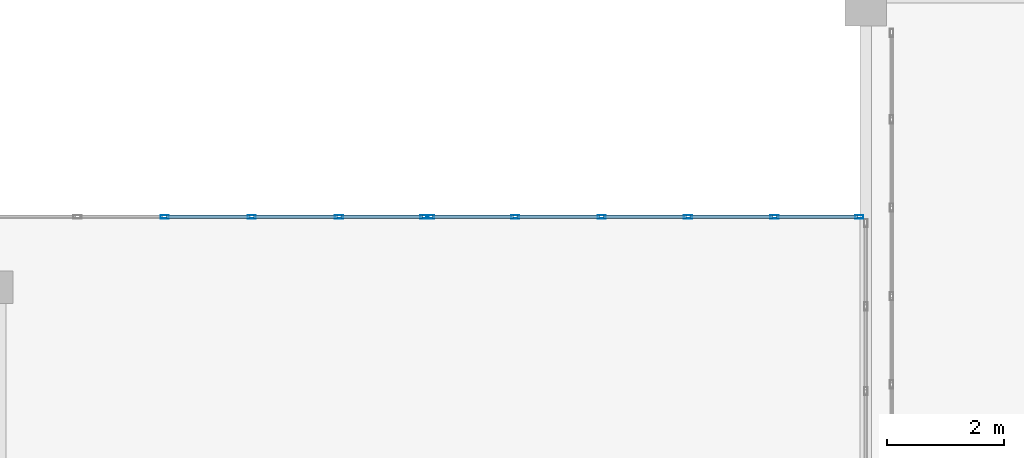
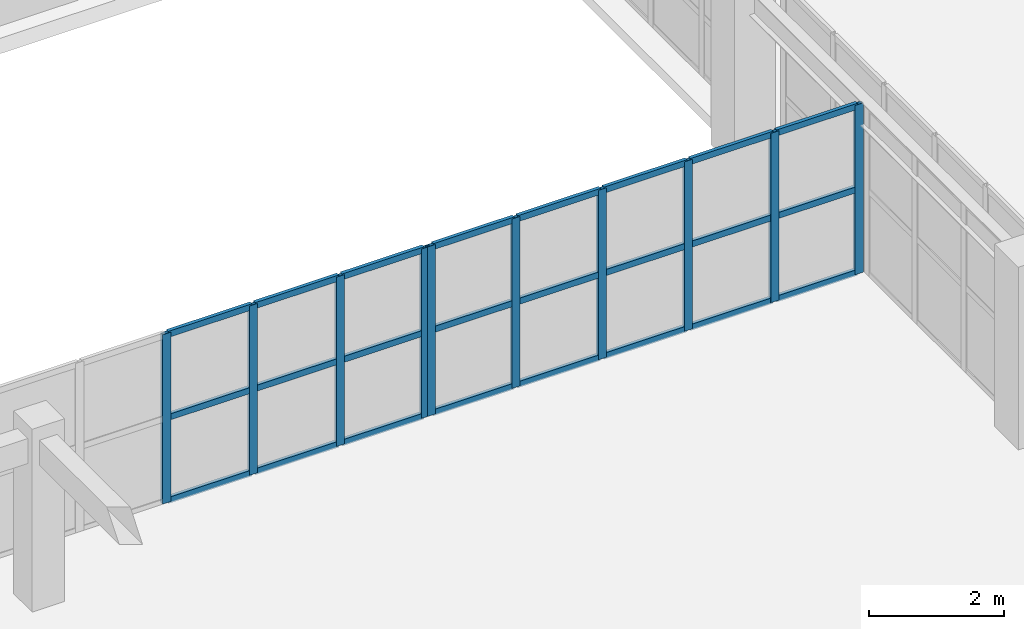
# One storey, part 66 of 148: 34 members, 2 elements without a shape of their own.
"""IFC4 building model written with IfcOpenShell, lengths in metres."""

from ifc_helpers import new_model, si_unit, direction, frame, origin, origin_2d, place, context, subcontext, project, spatial, hollow_rectangle, extrude, material, layer, layer_set, material_profile, profile_set, type_object, element, aggregate, save


model = new_model("IFC4")

# Units and contexts
model_context = context("Model", 3, precision=1e-05, world=origin(), true_north=direction((0.0, 1.0)))
body_context = subcontext(model_context, "Body", "Model", "MODEL_VIEW")
ifc_project = project(units=[si_unit("LENGTHUNIT", "METRE"), si_unit("AREAUNIT", "SQUARE_METRE"), si_unit("VOLUMEUNIT", "CUBIC_METRE"), si_unit("PLANEANGLEUNIT", "RADIAN"), si_unit("MASSUNIT", "GRAM", prefix="KILO")], contexts=[model_context])

# Site, building, storey
site_placement = place(None, origin())
site = spatial("IfcSite", under=ifc_project, at=site_placement, CompositionType="ELEMENT")
building_placement = place(site_placement, origin())
building = spatial("IfcBuilding", under=site, at=building_placement, Name="Trelvath General Hospital", CompositionType="ELEMENT")
storey_placement = place(building_placement, frame((0.0, 0.0, 12.89990234375)))
storey = spatial("IfcBuildingStorey", under=building, at=storey_placement, Name="L03", CompositionType="ELEMENT", Elevation=12.89990234375)

# Curtain wall, members
ifc_material_1 = material(Name="Anodised aluminium and low-E glass", Category="aluminium")
ifc_layer_1 = layer(ifc_material_1, 0.14990234375)
ifc_layer_set_1 = layer_set([ifc_layer_1], Name="Anodised aluminium and low-E glass")
curtain_wall_type_1 = type_object("IfcCurtainWallType", Name="CW CrystalCube 743 306 15", PredefinedType="USERDEFINED", material=ifc_layer_set_1)
curtain_wall_1_placement = place(storey_placement, origin())
curtain_wall_1 = element("IfcCurtainWall", 1, at=curtain_wall_1_placement, inside=storey, type_object=curtain_wall_type_1, Name="Crystal Cube Curtain Wall CUBE-W-T1 N2 L03", ObjectType="Unitised Glazed Curtain Wall", PredefinedType="USERDEFINED")
ifc_material_2 = material(Name="Anodised aluminium", Category="aluminium")
ifc_material_profile_1 = material_profile(ifc_material_2, hollow_rectangle(XDim=0.06005859375, YDim=0.139892578125, WallThickness=0.00390625, at=origin_2d()), Name="RHS60x140x4")
ifc_profile_set_1 = profile_set([ifc_material_profile_1], Name="Anodised aluminium")
member_type_1 = type_object("IfcMemberType", Name="CurtainMullion 60x140", PredefinedType="MULLION", material=ifc_profile_set_1)
member_1_placement = place(storey_placement, frame((63.6572265625, 80.39990234375, 0.0), z_axis=(0.0, 0.0, 1.0), x_axis=(0.0, 1.0, 0.0)))
member_1 = element("IfcMember", 2, at=member_1_placement, type_object=member_type_1, Name="CW-234 mullion 3", PredefinedType="MULLION", context=body_context, shape_type="SweptSolid", body=[
    extrude(hollow_rectangle(XDim=0.06005859375, YDim=0.139892578125, WallThickness=0.00390625, at=origin_2d()), origin(), (0.0, 0.0, 1.0), 3.06005859375),
])
member_2_placement = place(storey_placement, frame((65.142578125, 80.39990234375, 0.0), z_axis=(0.0, 0.0, 1.0), x_axis=(0.0, 1.0, 0.0)))
member_2 = element("IfcMember", 3, at=member_2_placement, type_object=member_type_1, Name="CW-234 mullion 4", PredefinedType="MULLION", context=body_context, shape_type="SweptSolid", body=[
    extrude(hollow_rectangle(XDim=0.06005859375, YDim=0.139892578125, WallThickness=0.00390625, at=origin_2d()), origin(), (0.0, 0.0, 1.0), 3.06005859375),
])
member_3_placement = place(storey_placement, frame((66.6279296875, 80.39990234375, 0.0), z_axis=(0.0, 0.0, 1.0), x_axis=(0.0, 1.0, 0.0)))
member_3 = element("IfcMember", 4, at=member_3_placement, type_object=member_type_1, Name="CW-234 mullion 5", PredefinedType="MULLION", context=body_context, shape_type="SweptSolid", body=[
    extrude(hollow_rectangle(XDim=0.06005859375, YDim=0.139892578125, WallThickness=0.00390625, at=origin_2d()), origin(), (0.0, 0.0, 1.0), 3.06005859375),
])
member_4_placement = place(storey_placement, frame((68.083251953125, 80.39990234375, 0.0), z_axis=(0.0, 0.0, 1.0), x_axis=(0.0, 1.0, 0.0)))
member_4 = element("IfcMember", 5, at=member_4_placement, type_object=member_type_1, Name="CW-234 mullion 6", PredefinedType="MULLION", context=body_context, shape_type="SweptSolid", body=[
    extrude(hollow_rectangle(XDim=0.06005859375, YDim=0.139892578125, WallThickness=0.00390625, at=origin_2d()), origin(), (0.0, 0.0, 1.0), 3.06005859375),
])

ifc_material_3 = material(Name="Anodised aluminium and low-E glass", Category="aluminium")
ifc_layer_2 = layer(ifc_material_3, 0.14990234375)
ifc_layer_set_2 = layer_set([ifc_layer_2], Name="Anodised aluminium and low-E glass")
curtain_wall_type_2 = type_object("IfcCurtainWallType", Name="CW CrystalCube 737 306 15", PredefinedType="USERDEFINED", material=ifc_layer_set_2)
curtain_wall_2_placement = place(storey_placement, origin())
curtain_wall_2 = element("IfcCurtainWall", 6, at=curtain_wall_2_placement, inside=storey, type_object=curtain_wall_type_2, Name="Crystal Cube Curtain Wall CUBE-W-T1 N3 L03", ObjectType="Unitised Glazed Curtain Wall", PredefinedType="USERDEFINED")
member_5_placement = place(storey_placement, frame((68.183349609375, 80.39990234375, 0.0), z_axis=(0.0, 0.0, 1.0), x_axis=(0.0, 1.0, 0.0)))
member_5 = element("IfcMember", 7, at=member_5_placement, type_object=member_type_1, Name="CW-235 mullion 1", PredefinedType="MULLION", context=body_context, shape_type="SweptSolid", body=[
    extrude(hollow_rectangle(XDim=0.06005859375, YDim=0.139892578125, WallThickness=0.00390625, at=origin_2d()), origin(), (0.0, 0.0, 1.0), 3.06005859375),
])
member_6_placement = place(storey_placement, frame((69.626708984375, 80.39990234375, 0.0), z_axis=(0.0, 0.0, 1.0), x_axis=(0.0, 1.0, 0.0)))
member_6 = element("IfcMember", 8, at=member_6_placement, type_object=member_type_1, Name="CW-235 mullion 2", PredefinedType="MULLION", context=body_context, shape_type="SweptSolid", body=[
    extrude(hollow_rectangle(XDim=0.06005859375, YDim=0.139892578125, WallThickness=0.00390625, at=origin_2d()), origin(), (0.0, 0.0, 1.0), 3.06005859375),
])
member_7_placement = place(storey_placement, frame((71.10009765625, 80.39990234375, 0.0), z_axis=(0.0, 0.0, 1.0), x_axis=(0.0, 1.0, 0.0)))
member_7 = element("IfcMember", 9, at=member_7_placement, type_object=member_type_1, Name="CW-235 mullion 3", PredefinedType="MULLION", context=body_context, shape_type="SweptSolid", body=[
    extrude(hollow_rectangle(XDim=0.06005859375, YDim=0.139892578125, WallThickness=0.00390625, at=origin_2d()), origin(), (0.0, 0.0, 1.0), 3.06005859375),
])
member_8_placement = place(storey_placement, frame((72.5732421875, 80.39990234375, 0.0), z_axis=(0.0, 0.0, 1.0), x_axis=(0.0, 1.0, 0.0)))
member_8 = element("IfcMember", 10, at=member_8_placement, type_object=member_type_1, Name="CW-235 mullion 4", PredefinedType="MULLION", context=body_context, shape_type="SweptSolid", body=[
    extrude(hollow_rectangle(XDim=0.06005859375, YDim=0.139892578125, WallThickness=0.00390625, at=origin_2d()), origin(), (0.0, 0.0, 1.0), 3.06005859375),
])
member_9_placement = place(storey_placement, frame((74.046630859375, 80.39990234375, 0.0), z_axis=(0.0, 0.0, 1.0), x_axis=(0.0, 1.0, 0.0)))
member_9 = element("IfcMember", 11, at=member_9_placement, type_object=member_type_1, Name="CW-235 mullion 5", PredefinedType="MULLION", context=body_context, shape_type="SweptSolid", body=[
    extrude(hollow_rectangle(XDim=0.06005859375, YDim=0.139892578125, WallThickness=0.00390625, at=origin_2d()), origin(), (0.0, 0.0, 1.0), 3.06005859375),
])
member_10_placement = place(storey_placement, frame((75.489990234375, 80.39990234375, 0.0), z_axis=(0.0, 0.0, 1.0), x_axis=(0.0, 1.0, 0.0)))
member_10 = element("IfcMember", 12, at=member_10_placement, type_object=member_type_1, Name="CW-235 mullion 6", PredefinedType="MULLION", context=body_context, shape_type="SweptSolid", body=[
    extrude(hollow_rectangle(XDim=0.06005859375, YDim=0.139892578125, WallThickness=0.00390625, at=origin_2d()), origin(), (0.0, 0.0, 1.0), 3.06005859375),
])

# Member
ifc_material_4 = material(Name="Anodised aluminium", Category="aluminium")
ifc_material_profile_2 = material_profile(ifc_material_4, hollow_rectangle(XDim=0.06005859375, YDim=0.110107421875, WallThickness=0.00390625, at=origin_2d()), Name="RHS60x110x4")
ifc_profile_set_2 = profile_set([ifc_material_profile_2], Name="Anodised aluminium")
member_type_2 = type_object("IfcMemberType", Name="CurtainTransom 60x110", PredefinedType="USERDEFINED", material=ifc_profile_set_2)
member_11_placement = place(storey_placement, frame((63.687255859375, 80.39990234375, 0.030029296875), z_axis=(1.0, 0.0, 0.0), x_axis=(0.0, 1.0, 0.0)))
member_11 = element("IfcMember", 13, at=member_11_placement, type_object=member_type_2, Name="CW-234 transom 3.1", ObjectType="TRANSOM", PredefinedType="USERDEFINED", context=body_context, shape_type="SweptSolid", body=[
    extrude(hollow_rectangle(XDim=0.06005859375, YDim=0.110107421875, WallThickness=0.00390625, at=origin_2d()), origin(), (0.0, 0.0, 1.0), 1.42529296875),
])

member_12_placement = place(storey_placement, frame((63.687255859375, 80.39990234375, 1.530029296875), z_axis=(1.0, 0.0, 0.0), x_axis=(0.0, 1.0, 0.0)))
member_12 = element("IfcMember", 14, at=member_12_placement, type_object=member_type_2, Name="CW-234 transom 3.2", ObjectType="TRANSOM", PredefinedType="USERDEFINED", context=body_context, shape_type="SweptSolid", body=[
    extrude(hollow_rectangle(XDim=0.06005859375, YDim=0.110107421875, WallThickness=0.00390625, at=origin_2d()), origin(), (0.0, 0.0, 1.0), 1.42529296875),
])

member_13_placement = place(storey_placement, frame((63.687255859375, 80.39990234375, 3.030029296875), z_axis=(1.0, 0.0, 0.0), x_axis=(0.0, 1.0, 0.0)))
member_13 = element("IfcMember", 15, at=member_13_placement, type_object=member_type_2, Name="CW-234 transom 3.3", ObjectType="TRANSOM", PredefinedType="USERDEFINED", context=body_context, shape_type="SweptSolid", body=[
    extrude(hollow_rectangle(XDim=0.06005859375, YDim=0.110107421875, WallThickness=0.00390625, at=origin_2d()), origin(), (0.0, 0.0, 1.0), 1.42529296875),
])

member_14_placement = place(storey_placement, frame((65.172607421875, 80.39990234375, 0.030029296875), z_axis=(1.0, 0.0, 0.0), x_axis=(0.0, 1.0, 0.0)))
member_14 = element("IfcMember", 16, at=member_14_placement, type_object=member_type_2, Name="CW-234 transom 4.1", ObjectType="TRANSOM", PredefinedType="USERDEFINED", context=body_context, shape_type="SweptSolid", body=[
    extrude(hollow_rectangle(XDim=0.06005859375, YDim=0.110107421875, WallThickness=0.00390625, at=origin_2d()), origin(), (0.0, 0.0, 1.0), 1.42529296875),
])

member_15_placement = place(storey_placement, frame((65.172607421875, 80.39990234375, 1.530029296875), z_axis=(1.0, 0.0, 0.0), x_axis=(0.0, 1.0, 0.0)))
member_15 = element("IfcMember", 17, at=member_15_placement, type_object=member_type_2, Name="CW-234 transom 4.2", ObjectType="TRANSOM", PredefinedType="USERDEFINED", context=body_context, shape_type="SweptSolid", body=[
    extrude(hollow_rectangle(XDim=0.06005859375, YDim=0.110107421875, WallThickness=0.00390625, at=origin_2d()), origin(), (0.0, 0.0, 1.0), 1.42529296875),
])

member_16_placement = place(storey_placement, frame((65.172607421875, 80.39990234375, 3.030029296875), z_axis=(1.0, 0.0, 0.0), x_axis=(0.0, 1.0, 0.0)))
member_16 = element("IfcMember", 18, at=member_16_placement, type_object=member_type_2, Name="CW-234 transom 4.3", ObjectType="TRANSOM", PredefinedType="USERDEFINED", context=body_context, shape_type="SweptSolid", body=[
    extrude(hollow_rectangle(XDim=0.06005859375, YDim=0.110107421875, WallThickness=0.00390625, at=origin_2d()), origin(), (0.0, 0.0, 1.0), 1.42529296875),
])

member_17_placement = place(storey_placement, frame((66.657958984375, 80.39990234375, 0.030029296875), z_axis=(1.0, 0.0, 0.0), x_axis=(0.0, 1.0, 0.0)))
member_17 = element("IfcMember", 19, at=member_17_placement, type_object=member_type_2, Name="CW-234 transom 5.1", ObjectType="TRANSOM", PredefinedType="USERDEFINED", context=body_context, shape_type="SweptSolid", body=[
    extrude(hollow_rectangle(XDim=0.06005859375, YDim=0.110107421875, WallThickness=0.00390625, at=origin_2d()), origin(), (0.0, 0.0, 1.0), 1.395263671875),
])

member_18_placement = place(storey_placement, frame((66.657958984375, 80.39990234375, 1.530029296875), z_axis=(1.0, 0.0, 0.0), x_axis=(0.0, 1.0, 0.0)))
member_18 = element("IfcMember", 20, at=member_18_placement, type_object=member_type_2, Name="CW-234 transom 5.2", ObjectType="TRANSOM", PredefinedType="USERDEFINED", context=body_context, shape_type="SweptSolid", body=[
    extrude(hollow_rectangle(XDim=0.06005859375, YDim=0.110107421875, WallThickness=0.00390625, at=origin_2d()), origin(), (0.0, 0.0, 1.0), 1.395263671875),
])

member_19_placement = place(storey_placement, frame((66.657958984375, 80.39990234375, 3.030029296875), z_axis=(1.0, 0.0, 0.0), x_axis=(0.0, 1.0, 0.0)))
member_19 = element("IfcMember", 21, at=member_19_placement, type_object=member_type_2, Name="CW-234 transom 5.3", ObjectType="TRANSOM", PredefinedType="USERDEFINED", context=body_context, shape_type="SweptSolid", body=[
    extrude(hollow_rectangle(XDim=0.06005859375, YDim=0.110107421875, WallThickness=0.00390625, at=origin_2d()), origin(), (0.0, 0.0, 1.0), 1.395263671875),
])

aggregate(curtain_wall_1, [member_1, member_2, member_3, member_4, member_11, member_12, member_13, member_14, member_15, member_16, member_17, member_18, member_19])

member_20_placement = place(storey_placement, frame((68.21337890625, 80.39990234375, 0.030029296875), z_axis=(1.0, 0.0, 0.0), x_axis=(0.0, 1.0, 0.0)))
member_20 = element("IfcMember", 22, at=member_20_placement, type_object=member_type_2, Name="CW-235 transom 1.1", ObjectType="TRANSOM", PredefinedType="USERDEFINED", context=body_context, shape_type="SweptSolid", body=[
    extrude(hollow_rectangle(XDim=0.06005859375, YDim=0.110107421875, WallThickness=0.00390625, at=origin_2d()), origin(), (0.0, 0.0, 1.0), 1.38330078125),
])

member_21_placement = place(storey_placement, frame((68.21337890625, 80.39990234375, 1.530029296875), z_axis=(1.0, 0.0, 0.0), x_axis=(0.0, 1.0, 0.0)))
member_21 = element("IfcMember", 23, at=member_21_placement, type_object=member_type_2, Name="CW-235 transom 1.2", ObjectType="TRANSOM", PredefinedType="USERDEFINED", context=body_context, shape_type="SweptSolid", body=[
    extrude(hollow_rectangle(XDim=0.06005859375, YDim=0.110107421875, WallThickness=0.00390625, at=origin_2d()), origin(), (0.0, 0.0, 1.0), 1.38330078125),
])

member_22_placement = place(storey_placement, frame((68.21337890625, 80.39990234375, 3.030029296875), z_axis=(1.0, 0.0, 0.0), x_axis=(0.0, 1.0, 0.0)))
member_22 = element("IfcMember", 24, at=member_22_placement, type_object=member_type_2, Name="CW-235 transom 1.3", ObjectType="TRANSOM", PredefinedType="USERDEFINED", context=body_context, shape_type="SweptSolid", body=[
    extrude(hollow_rectangle(XDim=0.06005859375, YDim=0.110107421875, WallThickness=0.00390625, at=origin_2d()), origin(), (0.0, 0.0, 1.0), 1.38330078125),
])

member_23_placement = place(storey_placement, frame((69.65673828125, 80.39990234375, 0.030029296875), z_axis=(1.0, 0.0, 0.0), x_axis=(0.0, 1.0, 0.0)))
member_23 = element("IfcMember", 25, at=member_23_placement, type_object=member_type_2, Name="CW-235 transom 2.1", ObjectType="TRANSOM", PredefinedType="USERDEFINED", context=body_context, shape_type="SweptSolid", body=[
    extrude(hollow_rectangle(XDim=0.06005859375, YDim=0.110107421875, WallThickness=0.00390625, at=origin_2d()), origin(), (0.0, 0.0, 1.0), 1.413330078125),
])

member_24_placement = place(storey_placement, frame((69.65673828125, 80.39990234375, 1.530029296875), z_axis=(1.0, 0.0, 0.0), x_axis=(0.0, 1.0, 0.0)))
member_24 = element("IfcMember", 26, at=member_24_placement, type_object=member_type_2, Name="CW-235 transom 2.2", ObjectType="TRANSOM", PredefinedType="USERDEFINED", context=body_context, shape_type="SweptSolid", body=[
    extrude(hollow_rectangle(XDim=0.06005859375, YDim=0.110107421875, WallThickness=0.00390625, at=origin_2d()), origin(), (0.0, 0.0, 1.0), 1.413330078125),
])

member_25_placement = place(storey_placement, frame((69.65673828125, 80.39990234375, 3.030029296875), z_axis=(1.0, 0.0, 0.0), x_axis=(0.0, 1.0, 0.0)))
member_25 = element("IfcMember", 27, at=member_25_placement, type_object=member_type_2, Name="CW-235 transom 2.3", ObjectType="TRANSOM", PredefinedType="USERDEFINED", context=body_context, shape_type="SweptSolid", body=[
    extrude(hollow_rectangle(XDim=0.06005859375, YDim=0.110107421875, WallThickness=0.00390625, at=origin_2d()), origin(), (0.0, 0.0, 1.0), 1.413330078125),
])

member_26_placement = place(storey_placement, frame((71.1298828125, 80.39990234375, 0.030029296875), z_axis=(1.0, 0.0, 0.0), x_axis=(0.0, 1.0, 0.0)))
member_26 = element("IfcMember", 28, at=member_26_placement, type_object=member_type_2, Name="CW-235 transom 3.1", ObjectType="TRANSOM", PredefinedType="USERDEFINED", context=body_context, shape_type="SweptSolid", body=[
    extrude(hollow_rectangle(XDim=0.06005859375, YDim=0.110107421875, WallThickness=0.00390625, at=origin_2d()), origin(), (0.0, 0.0, 1.0), 1.413330078125),
])

member_27_placement = place(storey_placement, frame((71.1298828125, 80.39990234375, 1.530029296875), z_axis=(1.0, 0.0, 0.0), x_axis=(0.0, 1.0, 0.0)))
member_27 = element("IfcMember", 29, at=member_27_placement, type_object=member_type_2, Name="CW-235 transom 3.2", ObjectType="TRANSOM", PredefinedType="USERDEFINED", context=body_context, shape_type="SweptSolid", body=[
    extrude(hollow_rectangle(XDim=0.06005859375, YDim=0.110107421875, WallThickness=0.00390625, at=origin_2d()), origin(), (0.0, 0.0, 1.0), 1.413330078125),
])

member_28_placement = place(storey_placement, frame((71.1298828125, 80.39990234375, 3.030029296875), z_axis=(1.0, 0.0, 0.0), x_axis=(0.0, 1.0, 0.0)))
member_28 = element("IfcMember", 30, at=member_28_placement, type_object=member_type_2, Name="CW-235 transom 3.3", ObjectType="TRANSOM", PredefinedType="USERDEFINED", context=body_context, shape_type="SweptSolid", body=[
    extrude(hollow_rectangle(XDim=0.06005859375, YDim=0.110107421875, WallThickness=0.00390625, at=origin_2d()), origin(), (0.0, 0.0, 1.0), 1.413330078125),
])

member_29_placement = place(storey_placement, frame((72.603271484375, 80.39990234375, 0.030029296875), z_axis=(1.0, 0.0, 0.0), x_axis=(0.0, 1.0, 0.0)))
member_29 = element("IfcMember", 31, at=member_29_placement, type_object=member_type_2, Name="CW-235 transom 4.1", ObjectType="TRANSOM", PredefinedType="USERDEFINED", context=body_context, shape_type="SweptSolid", body=[
    extrude(hollow_rectangle(XDim=0.06005859375, YDim=0.110107421875, WallThickness=0.00390625, at=origin_2d()), origin(), (0.0, 0.0, 1.0), 1.413330078125),
])

member_30_placement = place(storey_placement, frame((72.603271484375, 80.39990234375, 1.530029296875), z_axis=(1.0, 0.0, 0.0), x_axis=(0.0, 1.0, 0.0)))
member_30 = element("IfcMember", 32, at=member_30_placement, type_object=member_type_2, Name="CW-235 transom 4.2", ObjectType="TRANSOM", PredefinedType="USERDEFINED", context=body_context, shape_type="SweptSolid", body=[
    extrude(hollow_rectangle(XDim=0.06005859375, YDim=0.110107421875, WallThickness=0.00390625, at=origin_2d()), origin(), (0.0, 0.0, 1.0), 1.413330078125),
])

member_31_placement = place(storey_placement, frame((72.603271484375, 80.39990234375, 3.030029296875), z_axis=(1.0, 0.0, 0.0), x_axis=(0.0, 1.0, 0.0)))
member_31 = element("IfcMember", 33, at=member_31_placement, type_object=member_type_2, Name="CW-235 transom 4.3", ObjectType="TRANSOM", PredefinedType="USERDEFINED", context=body_context, shape_type="SweptSolid", body=[
    extrude(hollow_rectangle(XDim=0.06005859375, YDim=0.110107421875, WallThickness=0.00390625, at=origin_2d()), origin(), (0.0, 0.0, 1.0), 1.413330078125),
])

member_32_placement = place(storey_placement, frame((74.07666015625, 80.39990234375, 0.030029296875), z_axis=(1.0, 0.0, 0.0), x_axis=(0.0, 1.0, 0.0)))
member_32 = element("IfcMember", 34, at=member_32_placement, type_object=member_type_2, Name="CW-235 transom 5.1", ObjectType="TRANSOM", PredefinedType="USERDEFINED", context=body_context, shape_type="SweptSolid", body=[
    extrude(hollow_rectangle(XDim=0.06005859375, YDim=0.110107421875, WallThickness=0.00390625, at=origin_2d()), origin(), (0.0, 0.0, 1.0), 1.38330078125),
])

member_33_placement = place(storey_placement, frame((74.07666015625, 80.39990234375, 1.530029296875), z_axis=(1.0, 0.0, 0.0), x_axis=(0.0, 1.0, 0.0)))
member_33 = element("IfcMember", 35, at=member_33_placement, type_object=member_type_2, Name="CW-235 transom 5.2", ObjectType="TRANSOM", PredefinedType="USERDEFINED", context=body_context, shape_type="SweptSolid", body=[
    extrude(hollow_rectangle(XDim=0.06005859375, YDim=0.110107421875, WallThickness=0.00390625, at=origin_2d()), origin(), (0.0, 0.0, 1.0), 1.38330078125),
])

member_34_placement = place(storey_placement, frame((74.07666015625, 80.39990234375, 3.030029296875), z_axis=(1.0, 0.0, 0.0), x_axis=(0.0, 1.0, 0.0)))
member_34 = element("IfcMember", 36, at=member_34_placement, type_object=member_type_2, Name="CW-235 transom 5.3", ObjectType="TRANSOM", PredefinedType="USERDEFINED", context=body_context, shape_type="SweptSolid", body=[
    extrude(hollow_rectangle(XDim=0.06005859375, YDim=0.110107421875, WallThickness=0.00390625, at=origin_2d()), origin(), (0.0, 0.0, 1.0), 1.38330078125),
])

aggregate(curtain_wall_2, [member_5, member_6, member_7, member_8, member_9, member_10, member_20, member_21, member_22, member_23, member_24, member_25, member_26, member_27, member_28, member_29, member_30, member_31, member_32, member_33, member_34])

save(model, "model.ifc")
